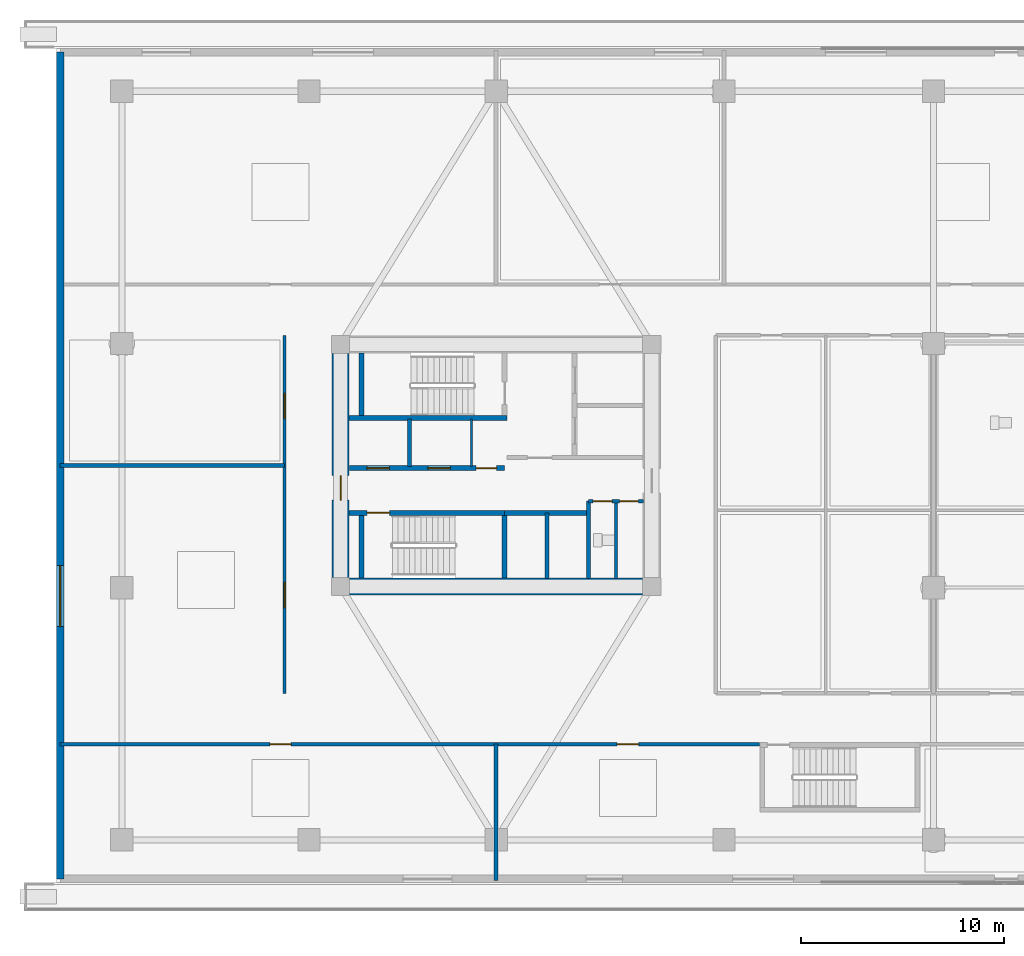
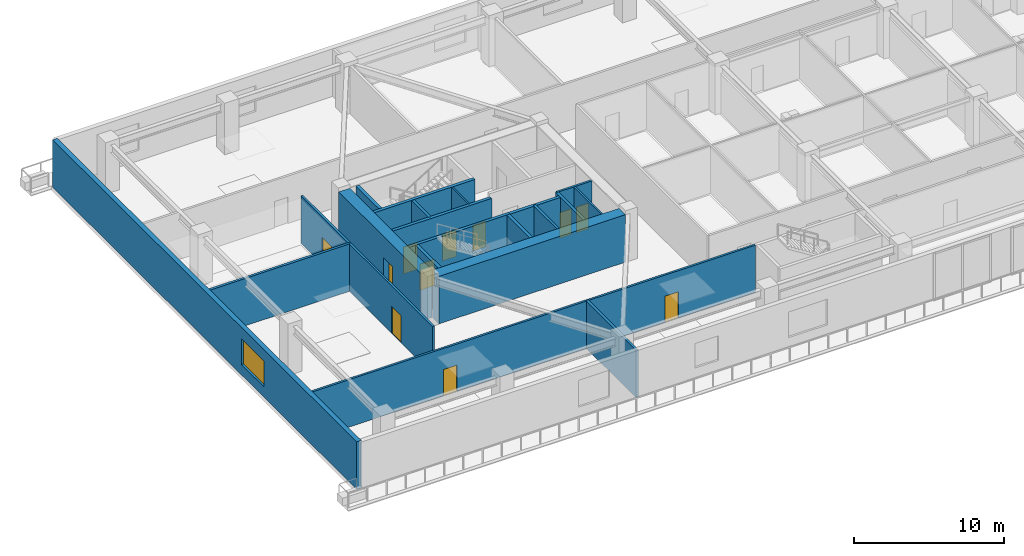
# One storey, part 4 of 22: 20 walls, 11 doors, 1 window, 12 openings.
"""IFC4 building model written with IfcOpenShell, lengths in metres."""

from ifc_helpers import new_model, si_unit, direction, frame, frame_2d, origin, place, context, subcontext, project, spatial, rectangle, extrude, source, transform, mapped, material, layer, layer_set, type_object, type_shapes, element, fill, save


model = new_model("IFC4")

# Units and contexts
model_context = context("Model", 3, precision=1e-05, world=origin(), true_north=direction((0.0, 1.0)))
body_context = subcontext(model_context, "Body", "Model", "MODEL_VIEW")
ifc_project = project(units=[si_unit("LENGTHUNIT", "METRE"), si_unit("AREAUNIT", "SQUARE_METRE"), si_unit("VOLUMEUNIT", "CUBIC_METRE"), si_unit("PLANEANGLEUNIT", "RADIAN"), si_unit("MASSUNIT", "GRAM", prefix="KILO")], contexts=[model_context])

# Site, building, storey
site_placement = place(None, origin())
site = spatial("IfcSite", under=ifc_project, at=site_placement, CompositionType="ELEMENT")
building_placement = place(site_placement, origin())
building = spatial("IfcBuilding", under=site, at=building_placement, Name="Norrkilde Senior Care Towers", CompositionType="ELEMENT")
storey_placement = place(building_placement, frame((0.0, 0.0, 12.60009765625)))
storey = spatial("IfcBuildingStorey", under=building, at=storey_placement, Name="L03", CompositionType="ELEMENT", Elevation=12.60009765625)

# Wall
ifc_material_1 = material(Name="Concrete C60/75", Category="concrete")
ifc_layer_1 = layer(ifc_material_1, 0.85009765625)
ifc_layer_set_1 = layer_set([ifc_layer_1], Name="Concrete C60/75")
wall_type_1 = type_object("IfcWallType", Name="Core Shear Wall Z1 850", PredefinedType="SHEAR", material=ifc_layer_set_1)
shared_shape_1 = source(origin(), body_context, "Body", "SweptSolid", [
    extrude(rectangle(XDim=14.39990234375, YDim=0.85009765625, at=frame_2d((7.199951171875, 0.0))), origin(), (0.0, 0.0, 1.0), 3.8798828125),
])
wall_1_placement = place(storey_placement, frame((-20.800048828125, -5.949951171875, 0.0), z_axis=(0.0, 0.0, 1.0), x_axis=(-1.0, 0.0, 0.0)))
element("IfcWall", 1, at=wall_1_placement, inside=storey, type_object=wall_type_1, Name="L03 Core W South Shear Wall", PredefinedType="SHEAR", context=body_context, shape_type="MappedRepresentation", body=[
    mapped(shared_shape_1, transform((0.0, 0.0, 0.0), x_axis=(1.0, 0.0, 0.0), y_axis=(0.0, 1.0, 0.0), z_axis=(0.0, 0.0, 1.0), scale=1.0)),
])

# Wall, opening, door
shared_shape_2 = source(origin(), body_context, "Body", "SweptSolid", [
    extrude(rectangle(XDim=11.0, YDim=0.85009765625, at=frame_2d((5.5, 0.0))), origin(), (0.0, 0.0, 1.0), 3.8798828125),
])
type_shapes(wall_type_1, [shared_shape_1, shared_shape_2])
wall_2_placement = place(storey_placement, frame((-35.64990234375, -5.5, 0.0), z_axis=(0.0, 0.0, 1.0), x_axis=(0.0, 1.0, 0.0)))
wall_2 = element("IfcWall", 2, at=wall_2_placement, inside=storey, type_object=wall_type_1, Name="L03 Core W West Shear Wall", PredefinedType="SHEAR", context=body_context, shape_type="MappedRepresentation", body=[
    mapped(shared_shape_2, transform((0.0, 0.0, 0.0), x_axis=(1.0, 0.0, 0.0), y_axis=(0.0, 1.0, 0.0), z_axis=(0.0, 0.0, 1.0), scale=1.0)),
])
opening_1_placement = place(wall_2_placement, frame((3.800048828125, 0.0, 0.0)))
opening_1 = element("IfcOpeningElement", 3, at=opening_1_placement, cuts=wall_2, Name="Opening D-04", PredefinedType="OPENING", context=body_context, shape_type="SweptSolid", body=[
    extrude(rectangle(XDim=1.199951171875, YDim=2.14990234375, at=frame_2d((0.60009765625, 1.074951171875))), frame((0.0, 0.43505859375, 0.0), z_axis=(0.0, -1.0, 0.0), x_axis=(1.0, 0.0, 0.0)), (0.0, 0.0, 1.0), 0.8701171875),
])
ifc_material_2 = material(Name="Galvanised Painted Steel", Category="steel")
door_type_1 = type_object("IfcDoorType", Name="Firefighting Lobby Fire Door 1200x2150", OperationType="NOTDEFINED", PredefinedType="DOOR", material=ifc_material_2)
shared_shape_3 = source(origin(), body_context, "Body", "SweptSolid", [
    extrude(rectangle(XDim=1.199951171875, YDim=2.14990234375, at=frame_2d((0.60009765625, 1.074951171875))), frame((0.0, 0.02490234375, 0.0), z_axis=(0.0, -1.0, 0.0), x_axis=(1.0, 0.0, 0.0)), (0.0, 0.0, 1.0), 0.050048828125),
])
type_shapes(door_type_1, [shared_shape_3])
door_1_placement = place(opening_1_placement, frame((1.199951171875, 0.0, 0.0), z_axis=(0.0, 0.0, 1.0), x_axis=(-1.0, 0.0, 0.0)))
door_1 = element("IfcDoor", 4, at=door_1_placement, inside=storey, type_object=door_type_1, Name="L03 Core W West Portal Door", OperationType="SINGLE_SWING_LEFT", OverallHeight=2.14990234375, OverallWidth=1.199951171875, PredefinedType="DOOR", context=body_context, shape_type="MappedRepresentation", body=[
    mapped(shared_shape_3, transform((0.0, 0.0, 0.0), x_axis=(1.0, 0.0, 0.0), y_axis=(0.0, 1.0, 0.0), z_axis=(0.0, 0.0, 1.0), scale=1.0)),
])
fill(opening_1, door_1)

# Wall, opening, window
ifc_material_3 = material(Name="Precast concrete C45/55", Category="concrete")
ifc_layer_2 = layer(ifc_material_3, 0.360107421875)
ifc_layer_set_2 = layer_set([ifc_layer_2], Name="Precast concrete C45/55")
wall_type_2 = type_object("IfcWallType", Name="Podium Facade Wall 360", PredefinedType="SOLIDWALL", material=ifc_layer_set_2)
shared_shape_4 = source(origin(), body_context, "Body", "SweptSolid", [
    extrude(rectangle(XDim=40.64013671875, YDim=0.360107421875, at=frame_2d((20.320068359375, 0.0))), origin(), (0.0, 0.0, 1.0), 3.8798828125),
])
type_shapes(wall_type_2, [shared_shape_4])
wall_3_placement = place(storey_placement, frame((-49.419921875, -20.320068359375, 0.0), z_axis=(0.0, 0.0, 1.0), x_axis=(0.0, 1.0, 0.0)))
wall_3 = element("IfcWall", 5, at=wall_3_placement, inside=storey, type_object=wall_type_2, Name="L03 Podium W Facade Wall", PredefinedType="SOLIDWALL", context=body_context, shape_type="MappedRepresentation", body=[
    mapped(shared_shape_4, transform((0.0, 0.0, 0.0), x_axis=(1.0, 0.0, 0.0), y_axis=(0.0, 1.0, 0.0), z_axis=(0.0, 0.0, 1.0), scale=1.0)),
])
opening_2_placement = place(wall_3_placement, frame((12.39990234375, 0.0, 0.85009765625)))
opening_2 = element("IfcOpeningElement", 6, at=opening_2_placement, cuts=wall_3, Name="Opening WN-02", PredefinedType="OPENING", context=body_context, shape_type="SweptSolid", body=[
    extrude(rectangle(XDim=3.0, YDim=2.10009765625, at=frame_2d((1.5, 1.050048828125))), frame((0.0, 0.18994140625, 0.0), z_axis=(0.0, -1.0, 0.0), x_axis=(1.0, 0.0, 0.0)), (0.0, 0.0, 1.0), 0.380126953125),
])
ifc_material_4 = material(Name="Triple Low-E Insulated Glazing", Category="glass")
window_type = type_object("IfcWindowType", Name="Podium Rehab Ribbon Window 3000x2100", PartitioningType="SINGLE_PANEL", PredefinedType="WINDOW", material=ifc_material_4)
shared_shape_5 = source(origin(), body_context, "Body", "SweptSolid", [
    extrude(rectangle(XDim=3.0, YDim=2.10009765625, at=frame_2d((1.5, 1.050048828125))), frame((0.0, 0.030029296875, 0.0), z_axis=(0.0, -1.0, 0.0), x_axis=(1.0, 0.0, 0.0)), (0.0, 0.0, 1.0), 0.06005859375),
])
type_shapes(window_type, [shared_shape_5])
window_placement = place(opening_2_placement, origin())
window = element("IfcWindow", 7, at=window_placement, inside=storey, type_object=window_type, Name="L03 W Window 02", OverallHeight=2.10009765625, OverallWidth=3.0, PartitioningType="SINGLE_PANEL", PredefinedType="WINDOW", context=body_context, shape_type="MappedRepresentation", body=[
    mapped(shared_shape_5, transform((0.0, 0.0, 0.0), x_axis=(1.0, 0.0, 0.0), y_axis=(0.0, 1.0, 0.0), z_axis=(0.0, 0.0, 1.0), scale=1.0)),
])
fill(opening_2, window)

# Wall
ifc_material_5 = material(Name="Concrete C45/55", Category="concrete")
ifc_layer_3 = layer(ifc_material_5, 0.239990234375)
ifc_layer_set_3 = layer_set([ifc_layer_3], Name="Concrete C45/55")
wall_type_3 = type_object("IfcWallType", Name="Shaft and Stair Enclosure Wall 240", PredefinedType="PARTITIONING", material=ifc_layer_set_3)
shared_shape_6 = source(origin(), body_context, "Body", "SweptSolid", [
    extrude(rectangle(XDim=7.76513671875, YDim=0.239990234375, at=frame_2d((3.882568359375, 0.0))), origin(), (0.0, 0.0, 1.0), 3.8798828125),
])
wall_4_placement = place(storey_placement, frame((-35.22509765625, 2.330078125, 0.0), z_axis=(0.0, 0.0, 1.0), x_axis=(1.0, 0.0, 0.0)))
element("IfcWall", 8, at=wall_4_placement, inside=storey, type_object=wall_type_3, Name="WL-INT-L03-W-ST1S", PredefinedType="PARTITIONING", context=body_context, shape_type="MappedRepresentation", body=[
    mapped(shared_shape_6, transform((0.0, 0.0, 0.0), x_axis=(1.0, 0.0, 0.0), y_axis=(0.0, 1.0, 0.0), z_axis=(0.0, 0.0, 1.0), scale=1.0)),
])

# Wall, opening, door
wall_5_placement = place(storey_placement, frame((-35.22509765625, -2.330078125, 0.0), z_axis=(0.0, 0.0, 1.0), x_axis=(1.0, 0.0, 0.0)))
wall_5 = element("IfcWall", 9, at=wall_5_placement, inside=storey, type_object=wall_type_3, Name="WL-INT-L03-W-ST2N", PredefinedType="PARTITIONING", context=body_context, shape_type="MappedRepresentation", body=[
    mapped(shared_shape_6, transform((0.0, 0.0, 0.0), x_axis=(1.0, 0.0, 0.0), y_axis=(0.0, 1.0, 0.0), z_axis=(0.0, 0.0, 1.0), scale=1.0)),
])
opening_3_placement = place(wall_5_placement, frame((0.885009765625, 0.0, 0.0)))
opening_3 = element("IfcOpeningElement", 10, at=opening_3_placement, cuts=wall_5, Name="Opening D-03", PredefinedType="OPENING", context=body_context, shape_type="SweptSolid", body=[
    extrude(rectangle(XDim=1.10009765625, YDim=2.14990234375, at=frame_2d((0.550048828125, 1.074951171875))), frame((0.0, 0.1298828125, 0.0), z_axis=(0.0, -1.0, 0.0), x_axis=(1.0, 0.0, 0.0)), (0.0, 0.0, 1.0), 0.260009765625),
])
door_type_2 = type_object("IfcDoorType", Name="Stairwell Protected Fire Door 1100x2150", OperationType="NOTDEFINED", PredefinedType="DOOR", material=ifc_material_2)
shared_shape_7 = source(origin(), body_context, "Body", "SweptSolid", [
    extrude(rectangle(XDim=1.10009765625, YDim=2.14990234375, at=frame_2d((0.550048828125, 1.074951171875))), frame((0.0, 0.02490234375, 0.0), z_axis=(0.0, -1.0, 0.0), x_axis=(1.0, 0.0, 0.0)), (0.0, 0.0, 1.0), 0.050048828125),
])
type_shapes(door_type_2, [shared_shape_7])
door_2_placement = place(opening_3_placement, frame((1.10009765625, 0.0, 0.0), z_axis=(0.0, 0.0, 1.0), x_axis=(-1.0, 0.0, 0.0)))
door_2 = element("IfcDoor", 11, at=door_2_placement, inside=storey, type_object=door_type_2, Name="L03 Stair W2 Fire Door", OperationType="SINGLE_SWING_RIGHT", OverallHeight=2.14990234375, OverallWidth=1.10009765625, PredefinedType="DOOR", context=body_context, shape_type="MappedRepresentation", body=[
    mapped(shared_shape_7, transform((0.0, 0.0, 0.0), x_axis=(1.0, 0.0, 0.0), y_axis=(0.0, 1.0, 0.0), z_axis=(0.0, 0.0, 1.0), scale=1.0)),
])
fill(opening_3, door_2)

# Walls
shared_shape_8 = source(origin(), body_context, "Body", "SweptSolid", [
    extrude(rectangle(XDim=3.074951171875, YDim=0.239990234375, at=frame_2d((1.53759765625, 0.0))), origin(), (0.0, 0.0, 1.0), 3.8798828125),
])
type_shapes(wall_type_3, [shared_shape_6, shared_shape_8])
for number, where, z_axis, x_axis, name in (
    (12, (-34.6201171875, 2.449951171875, 0.0), (0.0, 0.0, 1.0), (0.0, 1.0, 0.0), "WL-INT-L03-W-ST1W"),
    (13, (-34.6201171875, -5.52490234375, 0.0), (0.0, 0.0, 1.0), (0.0, 1.0, 0.0), "WL-INT-L03-W-ST2W"),
    (14, (-27.580078125, -5.52490234375, 0.0), (0.0, 0.0, 1.0), (0.0, 1.0, 0.0), "WL-INT-L03-W-ST2E"),
):
    element("IfcWall", number, at=place(storey_placement, frame(where, z_axis=z_axis, x_axis=x_axis)), inside=storey, type_object=wall_type_3, Name=name, PredefinedType="PARTITIONING", context=body_context, shape_type="MappedRepresentation", body=[
        mapped(shared_shape_8, transform((0.0, 0.0, 0.0), x_axis=(1.0, 0.0, 0.0), y_axis=(0.0, 1.0, 0.0), z_axis=(0.0, 0.0, 1.0), scale=1.0)),
    ])

# Wall, openings, doors
ifc_layer_4 = layer(ifc_material_5, 0.239990234375)
ifc_layer_set_4 = layer_set([ifc_layer_4], Name="Concrete C45/55")
wall_type_4 = type_object("IfcWallType", Name="Lift and Plant Rated Enclosure Partition 240", PredefinedType="PARTITIONING", material=ifc_layer_set_4)
shared_shape_9 = source(origin(), body_context, "Body", "SweptSolid", [
    extrude(rectangle(XDim=7.619873046875, YDim=0.239990234375, at=frame_2d((3.81005859375, 0.0))), origin(), (0.0, 0.0, 1.0), 3.864990234375),
])
wall_6_placement = place(storey_placement, frame((-35.199951171875, -0.1298828125, 0.0), z_axis=(0.0, 0.0, 1.0), x_axis=(1.0, 0.0, 0.0)))
wall_6 = element("IfcWall", 15, at=wall_6_placement, inside=storey, type_object=wall_type_4, Name="WL-INT-L03-W-PKAS", PredefinedType="PARTITIONING", context=body_context, shape_type="MappedRepresentation", body=[
    mapped(shared_shape_9, transform((0.0, 0.0, 0.0), x_axis=(1.0, 0.0, 0.0), y_axis=(0.0, 1.0, 0.0), z_axis=(0.0, 0.0, 1.0), scale=1.0)),
])
opening_4_placement = place(wall_6_placement, frame((6.219970703125, 0.0, 0.0)))
opening_4 = element("IfcOpeningElement", 16, at=opening_4_placement, cuts=wall_6, Name="Opening D-10", PredefinedType="OPENING", context=body_context, shape_type="SweptSolid", body=[
    extrude(rectangle(XDim=1.0, YDim=2.10009765625, at=frame_2d((0.5, 1.050048828125))), frame((0.0, 0.1298828125, 0.0), z_axis=(0.0, -1.0, 0.0), x_axis=(1.0, 0.0, 0.0)), (0.0, 0.0, 1.0), 0.260009765625),
])
opening_5_placement = place(wall_6_placement, frame((0.85009765625, 0.0, 0.0)))
opening_5 = element("IfcOpeningElement", 17, at=opening_5_placement, cuts=wall_6, Name="Opening LD-01", PredefinedType="OPENING", context=body_context, shape_type="SweptSolid", body=[
    extrude(rectangle(XDim=1.10009765625, YDim=2.199951171875, at=frame_2d((0.550048828125, 1.10009765625))), frame((0.0, 0.1298828125, 0.0), z_axis=(0.0, -1.0, 0.0), x_axis=(1.0, 0.0, 0.0)), (0.0, 0.0, 1.0), 0.260009765625),
])
opening_6_placement = place(wall_6_placement, frame((3.85009765625, 0.0, 0.0)))
opening_6 = element("IfcOpeningElement", 18, at=opening_6_placement, cuts=wall_6, Name="Opening LD-01", PredefinedType="OPENING", context=body_context, shape_type="SweptSolid", body=[
    extrude(rectangle(XDim=1.10009765625, YDim=2.199951171875, at=frame_2d((0.550048828125, 1.10009765625))), frame((0.0, 0.1298828125, 0.0), z_axis=(0.0, -1.0, 0.0), x_axis=(1.0, 0.0, 0.0)), (0.0, 0.0, 1.0), 0.260009765625),
])
door_type_3 = type_object("IfcDoorType", Name="Plant and Riser Rated Door 1000x2100", OperationType="NOTDEFINED", PredefinedType="DOOR", material=ifc_material_2)
shared_shape_10 = source(origin(), body_context, "Body", "SweptSolid", [
    extrude(rectangle(XDim=1.0, YDim=2.10009765625, at=frame_2d((0.5, 1.050048828125))), frame((0.0, 0.02490234375, 0.0), z_axis=(0.0, -1.0, 0.0), x_axis=(1.0, 0.0, 0.0)), (0.0, 0.0, 1.0), 0.050048828125),
])
type_shapes(door_type_3, [shared_shape_10])
door_3_placement = place(opening_4_placement, frame((1.0, 0.0, 0.0), z_axis=(0.0, 0.0, 1.0), x_axis=(-1.0, 0.0, 0.0)))
door_3 = element("IfcDoor", 19, at=door_3_placement, inside=storey, type_object=door_type_3, Name="L03 Electrical Riser W Door", OperationType="SINGLE_SWING_LEFT", OverallHeight=2.10009765625, OverallWidth=1.0, PredefinedType="DOOR", context=body_context, shape_type="MappedRepresentation", body=[
    mapped(shared_shape_10, transform((0.0, 0.0, 0.0), x_axis=(1.0, 0.0, 0.0), y_axis=(0.0, 1.0, 0.0), z_axis=(0.0, 0.0, 1.0), scale=1.0)),
])
fill(opening_4, door_3)
ifc_material_6 = material(Name="Stainless Steel", Category="steel")
door_type_4 = type_object("IfcDoorType", Name="Lift Landing Sliding Door 1100x2200", OperationType="NOTDEFINED", PredefinedType="DOOR", material=ifc_material_6)
shared_shape_11 = source(origin(), body_context, "Body", "SweptSolid", [
    extrude(rectangle(XDim=1.10009765625, YDim=2.199951171875, at=frame_2d((0.550048828125, 1.10009765625))), frame((0.0, 0.02490234375, 0.0), z_axis=(0.0, -1.0, 0.0), x_axis=(1.0, 0.0, 0.0)), (0.0, 0.0, 1.0), 0.050048828125),
])
type_shapes(door_type_4, [shared_shape_11])
door_4_placement = place(opening_5_placement, origin())
door_4 = element("IfcDoor", 20, at=door_4_placement, inside=storey, type_object=door_type_4, Name="L03 Passenger Lift W1 Landing Door", OperationType="SLIDING_TO_LEFT", OverallHeight=2.199951171875, OverallWidth=1.10009765625, PredefinedType="DOOR", context=body_context, shape_type="MappedRepresentation", body=[
    mapped(shared_shape_11, transform((0.0, 0.0, 0.0), x_axis=(1.0, 0.0, 0.0), y_axis=(0.0, 1.0, 0.0), z_axis=(0.0, 0.0, 1.0), scale=1.0)),
])
fill(opening_5, door_4)
door_5_placement = place(opening_6_placement, origin())
door_5 = element("IfcDoor", 21, at=door_5_placement, inside=storey, type_object=door_type_4, Name="L03 Passenger Lift W2 Landing Door", OperationType="SLIDING_TO_RIGHT", OverallHeight=2.199951171875, OverallWidth=1.10009765625, PredefinedType="DOOR", context=body_context, shape_type="MappedRepresentation", body=[
    mapped(shared_shape_11, transform((0.0, 0.0, 0.0), x_axis=(1.0, 0.0, 0.0), y_axis=(0.0, 1.0, 0.0), z_axis=(0.0, 0.0, 1.0), scale=1.0)),
])
fill(opening_6, door_5)

# Walls
ifc_material_7 = material(Name="Gypsum Acoustic Board")
ifc_layer_5 = layer(ifc_material_7, 0.114990234375)
ifc_layer_set_5 = layer_set([ifc_layer_5], Name="Gypsum Acoustic Board")
wall_type_5 = type_object("IfcWallType", Name="Internal Room Partition 115", PredefinedType="PARTITIONING", material=ifc_layer_set_5)
shared_shape_12 = source(origin(), body_context, "Body", "SweptSolid", [
    extrude(rectangle(XDim=2.330078125, YDim=0.114990234375, at=frame_2d((1.1650390625, 0.0))), origin(), (0.0, 0.0, 1.0), 3.864990234375),
])
type_shapes(wall_type_5, [shared_shape_12])
wall_7_placement = place(storey_placement, frame((-29.2099609375, -0.050048828125, 0.0), z_axis=(0.0, 0.0, 1.0), x_axis=(0.0, 1.0, 0.0)))
element("IfcWall", 22, at=wall_7_placement, inside=storey, type_object=wall_type_5, Name="WL-INT-L03-W-RISW", PredefinedType="PARTITIONING", context=body_context, shape_type="MappedRepresentation", body=[
    mapped(shared_shape_12, transform((0.0, 0.0, 0.0), x_axis=(1.0, 0.0, 0.0), y_axis=(0.0, 1.0, 0.0), z_axis=(0.0, 0.0, 1.0), scale=1.0)),
])
ifc_layer_6 = layer(ifc_material_5, 0.199951171875)
ifc_layer_set_6 = layer_set([ifc_layer_6], Name="Concrete C45/55")
wall_type_6 = type_object("IfcWallType", Name="Shaft Division and Plant Partition 200", PredefinedType="PARTITIONING", material=ifc_layer_set_6)
shared_shape_13 = source(origin(), body_context, "Body", "SweptSolid", [
    extrude(rectangle(XDim=2.330078125, YDim=0.199951171875, at=frame_2d((1.1650390625, 0.0))), origin(), (0.0, 0.0, 1.0), 3.864990234375),
])
wall_8_placement = place(storey_placement, frame((-32.25, -0.050048828125, 0.0), z_axis=(0.0, 0.0, 1.0), x_axis=(0.0, 1.0, 0.0)))
element("IfcWall", 23, at=wall_8_placement, inside=storey, type_object=wall_type_6, Name="WL-INT-L03-W-PL12", PredefinedType="PARTITIONING", context=body_context, shape_type="MappedRepresentation", body=[
    mapped(shared_shape_13, transform((0.0, 0.0, 0.0), x_axis=(1.0, 0.0, 0.0), y_axis=(0.0, 1.0, 0.0), z_axis=(0.0, 0.0, 1.0), scale=1.0)),
])
shared_shape_14 = source(origin(), body_context, "Body", "SweptSolid", [
    extrude(rectangle(XDim=3.800048828125, YDim=0.199951171875, at=frame_2d((1.89990234375, 0.0))), origin(), (0.0, 0.0, 1.0), 3.864990234375),
])
type_shapes(wall_type_6, [shared_shape_13, shared_shape_14])
wall_9_placement = place(storey_placement, frame((-23.449951171875, -5.550048828125, 0.0), z_axis=(0.0, 0.0, 1.0), x_axis=(0.0, 1.0, 0.0)))
element("IfcWall", 24, at=wall_9_placement, inside=storey, type_object=wall_type_6, Name="WL-INT-L03-W-PKBE", PredefinedType="PARTITIONING", context=body_context, shape_type="MappedRepresentation", body=[
    mapped(shared_shape_14, transform((0.0, 0.0, 0.0), x_axis=(1.0, 0.0, 0.0), y_axis=(0.0, 1.0, 0.0), z_axis=(0.0, 0.0, 1.0), scale=1.0)),
])
shared_shape_15 = source(origin(), body_context, "Body", "SweptSolid", [
    extrude(rectangle(XDim=4.130126953125, YDim=0.239990234375, at=frame_2d((2.06494140625, 0.0))), origin(), (0.0, 0.0, 1.0), 3.864990234375),
])
type_shapes(wall_type_4, [shared_shape_9, shared_shape_15])
wall_10_placement = place(storey_placement, frame((-27.580078125, -2.330078125, 0.0), z_axis=(0.0, 0.0, 1.0), x_axis=(1.0, 0.0, 0.0)))
element("IfcWall", 25, at=wall_10_placement, inside=storey, type_object=wall_type_4, Name="WL-INT-L03-W-PKBN", PredefinedType="PARTITIONING", context=body_context, shape_type="MappedRepresentation", body=[
    mapped(shared_shape_15, transform((0.0, 0.0, 0.0), x_axis=(1.0, 0.0, 0.0), y_axis=(0.0, 1.0, 0.0), z_axis=(0.0, 0.0, 1.0), scale=1.0)),
])
ifc_layer_7 = layer(ifc_material_5, 0.179931640625)
ifc_layer_set_7 = layer_set([ifc_layer_7], Name="Concrete C45/55")
wall_type_7 = type_object("IfcWallType", Name="Hoistway Division Rated Partition 180", PredefinedType="PARTITIONING", material=ifc_layer_set_7)
shared_shape_16 = source(origin(), body_context, "Body", "SweptSolid", [
    extrude(rectangle(XDim=3.219970703125, YDim=0.179931640625, at=frame_2d((1.60986328125, 0.0))), origin(), (0.0, 0.0, 1.0), 3.864990234375),
])
type_shapes(wall_type_7, [shared_shape_16])
wall_11_placement = place(storey_placement, frame((-25.5, -5.550048828125, 0.0), z_axis=(0.0, 0.0, 1.0), x_axis=(0.0, 1.0, 0.0)))
element("IfcWall", 26, at=wall_11_placement, inside=storey, type_object=wall_type_7, Name="WL-INT-L03-W-PL34", PredefinedType="PARTITIONING", context=body_context, shape_type="MappedRepresentation", body=[
    mapped(shared_shape_16, transform((0.0, 0.0, 0.0), x_axis=(1.0, 0.0, 0.0), y_axis=(0.0, 1.0, 0.0), z_axis=(0.0, 0.0, 1.0), scale=1.0)),
])

# Wall, openings, doors
ifc_layer_8 = layer(ifc_material_7, 0.1650390625)
ifc_layer_set_8 = layer_set([ifc_layer_8], Name="Gypsum Acoustic Board")
wall_type_8 = type_object("IfcWallType", Name="Corridor Rated Partition 165", PredefinedType="PARTITIONING", material=ifc_layer_set_8)
shared_shape_17 = source(origin(), body_context, "Body", "SweptSolid", [
    extrude(rectangle(XDim=2.699951171875, YDim=0.1650390625, at=frame_2d((1.35009765625, 0.0))), origin(), (0.0, 0.0, 1.0), 3.864990234375),
])
wall_12_placement = place(storey_placement, frame((-23.449951171875, -1.75, 0.0), z_axis=(0.0, 0.0, 1.0), x_axis=(1.0, 0.0, 0.0)))
wall_12 = element("IfcWall", 27, at=wall_12_placement, inside=storey, type_object=wall_type_8, Name="WL-INT-L03-W-CSN", PredefinedType="PARTITIONING", context=body_context, shape_type="MappedRepresentation", body=[
    mapped(shared_shape_17, transform((0.0, 0.0, 0.0), x_axis=(1.0, 0.0, 0.0), y_axis=(0.0, 1.0, 0.0), z_axis=(0.0, 0.0, 1.0), scale=1.0)),
])
opening_7_placement = place(wall_12_placement, frame((0.222412109375, 0.0, 0.0)))
opening_7 = element("IfcOpeningElement", 28, at=opening_7_placement, cuts=wall_12, Name="Opening D-12", PredefinedType="OPENING", context=body_context, shape_type="SweptSolid", body=[
    extrude(rectangle(XDim=0.925048828125, YDim=2.10009765625, at=frame_2d((0.46240234375, 1.050048828125))), frame((0.0, 0.092529296875, 0.0), z_axis=(0.0, -1.0, 0.0), x_axis=(1.0, 0.0, 0.0)), (0.0, 0.0, 1.0), 0.18505859375),
])
opening_8_placement = place(wall_12_placement, frame((1.5224609375, 0.0, 0.0)))
opening_8 = element("IfcOpeningElement", 29, at=opening_8_placement, cuts=wall_12, Name="Opening D-12", PredefinedType="OPENING", context=body_context, shape_type="SweptSolid", body=[
    extrude(rectangle(XDim=0.925048828125, YDim=2.10009765625, at=frame_2d((0.46240234375, 1.050048828125))), frame((0.0, 0.092529296875, 0.0), z_axis=(0.0, -1.0, 0.0), x_axis=(1.0, 0.0, 0.0)), (0.0, 0.0, 1.0), 0.18505859375),
])
door_type_5 = type_object("IfcDoorType", Name="Core Wet Room Rated Door 925x2100", OperationType="NOTDEFINED", PredefinedType="DOOR", material=ifc_material_2)
shared_shape_18 = source(origin(), body_context, "Body", "SweptSolid", [
    extrude(rectangle(XDim=0.925048828125, YDim=2.10009765625, at=frame_2d((0.46240234375, 1.050048828125))), frame((0.0, 0.02490234375, 0.0), z_axis=(0.0, -1.0, 0.0), x_axis=(1.0, 0.0, 0.0)), (0.0, 0.0, 1.0), 0.050048828125),
])
type_shapes(door_type_5, [shared_shape_18])
door_6_placement = place(opening_7_placement, origin())
door_6 = element("IfcDoor", 30, at=door_6_placement, inside=storey, type_object=door_type_5, Name="L03 Staff Accessible WC W Door", OperationType="SINGLE_SWING_LEFT", OverallHeight=2.10009765625, OverallWidth=0.925048828125, PredefinedType="DOOR", context=body_context, shape_type="MappedRepresentation", body=[
    mapped(shared_shape_18, transform((0.0, 0.0, 0.0), x_axis=(1.0, 0.0, 0.0), y_axis=(0.0, 1.0, 0.0), z_axis=(0.0, 0.0, 1.0), scale=1.0)),
])
fill(opening_7, door_6)
door_7_placement = place(opening_8_placement, origin())
door_7 = element("IfcDoor", 31, at=door_7_placement, inside=storey, type_object=door_type_5, Name="L03 Housekeeping Store W Door", OperationType="SINGLE_SWING_RIGHT", OverallHeight=2.10009765625, OverallWidth=0.925048828125, PredefinedType="DOOR", context=body_context, shape_type="MappedRepresentation", body=[
    mapped(shared_shape_18, transform((0.0, 0.0, 0.0), x_axis=(1.0, 0.0, 0.0), y_axis=(0.0, 1.0, 0.0), z_axis=(0.0, 0.0, 1.0), scale=1.0)),
])
fill(opening_8, door_7)

shared_shape_19 = source(origin(), body_context, "Body", "SweptSolid", [
    extrude(rectangle(XDim=17.599853515625, YDim=0.1650390625, at=frame_2d((8.7998046875, 0.0))), origin(), (0.0, 0.0, 1.0), 3.864990234375),
])
wall_13_placement = place(storey_placement, frame((-38.39990234375, -11.199951171875, 0.0), z_axis=(0.0, 0.0, 1.0), x_axis=(0.0, 1.0, 0.0)))
wall_13 = element("IfcWall", 32, at=wall_13_placement, inside=storey, type_object=wall_type_8, Name="WL-INT-L03-POD-OW", PredefinedType="PARTITIONING", context=body_context, shape_type="MappedRepresentation", body=[
    mapped(shared_shape_19, transform((0.0, 0.0, 0.0), x_axis=(1.0, 0.0, 0.0), y_axis=(0.0, 1.0, 0.0), z_axis=(0.0, 0.0, 1.0), scale=1.0)),
])
opening_9_placement = place(wall_13_placement, frame((4.199951171875, 0.0, 0.0)))
opening_9 = element("IfcOpeningElement", 33, at=opening_9_placement, cuts=wall_13, Name="Opening D-05", PredefinedType="OPENING", context=body_context, shape_type="SweptSolid", body=[
    extrude(rectangle(XDim=1.25, YDim=2.199951171875, at=frame_2d((0.625, 1.10009765625))), frame((0.0, 0.092529296875, 0.0), z_axis=(0.0, -1.0, 0.0), x_axis=(1.0, 0.0, 0.0)), (0.0, 0.0, 1.0), 0.18505859375),
])
opening_10_placement = place(wall_13_placement, frame((13.5, 0.0, 0.0)))
opening_10 = element("IfcOpeningElement", 34, at=opening_10_placement, cuts=wall_13, Name="Opening D-05", PredefinedType="OPENING", context=body_context, shape_type="SweptSolid", body=[
    extrude(rectangle(XDim=1.25, YDim=2.199951171875, at=frame_2d((0.625, 1.10009765625))), frame((0.0, 0.092529296875, 0.0), z_axis=(0.0, -1.0, 0.0), x_axis=(1.0, 0.0, 0.0)), (0.0, 0.0, 1.0), 0.18505859375),
])
ifc_material_8 = material(Name="Nordic Ash Timber", Category="wood")
door_type_6 = type_object("IfcDoorType", Name="Care Bedroom Bariatric Door 1250x2200", OperationType="NOTDEFINED", PredefinedType="DOOR", material=ifc_material_8)
shared_shape_20 = source(origin(), body_context, "Body", "SweptSolid", [
    extrude(rectangle(XDim=1.25, YDim=2.199951171875, at=frame_2d((0.625, 1.10009765625))), frame((0.0, 0.02490234375, 0.0), z_axis=(0.0, -1.0, 0.0), x_axis=(1.0, 0.0, 0.0)), (0.0, 0.0, 1.0), 0.050048828125),
])
type_shapes(door_type_6, [shared_shape_20])
door_8_placement = place(opening_9_placement, frame((1.25, 0.0, 0.0), z_axis=(0.0, 0.0, 1.0), x_axis=(-1.0, 0.0, 0.0)))
door_8 = element("IfcDoor", 35, at=door_8_placement, inside=storey, type_object=door_type_6, Name="L03 Rehab Ward OW1 Door", OperationType="SINGLE_SWING_LEFT", OverallHeight=2.199951171875, OverallWidth=1.25, PredefinedType="DOOR", context=body_context, shape_type="MappedRepresentation", body=[
    mapped(shared_shape_20, transform((0.0, 0.0, 0.0), x_axis=(1.0, 0.0, 0.0), y_axis=(0.0, 1.0, 0.0), z_axis=(0.0, 0.0, 1.0), scale=1.0)),
])
fill(opening_9, door_8)
door_9_placement = place(opening_10_placement, frame((1.25, 0.0, 0.0), z_axis=(0.0, 0.0, 1.0), x_axis=(-1.0, 0.0, 0.0)))
door_9 = element("IfcDoor", 36, at=door_9_placement, inside=storey, type_object=door_type_6, Name="L03 Wellness Hall OW2 Door", OperationType="SINGLE_SWING_RIGHT", OverallHeight=2.199951171875, OverallWidth=1.25, PredefinedType="DOOR", context=body_context, shape_type="MappedRepresentation", body=[
    mapped(shared_shape_20, transform((0.0, 0.0, 0.0), x_axis=(1.0, 0.0, 0.0), y_axis=(0.0, 1.0, 0.0), z_axis=(0.0, 0.0, 1.0), scale=1.0)),
])
fill(opening_10, door_9)

shared_shape_21 = source(origin(), body_context, "Body", "SweptSolid", [
    extrude(rectangle(XDim=34.39990234375, YDim=0.1650390625, at=frame_2d((17.199951171875, 0.0))), origin(), (0.0, 0.0, 1.0), 3.864990234375),
])
type_shapes(wall_type_8, [shared_shape_17, shared_shape_19, shared_shape_21])
wall_14_placement = place(storey_placement, frame((-49.449951171875, -13.699951171875, 0.0), z_axis=(0.0, 0.0, 1.0), x_axis=(1.0, 0.0, 0.0)))
wall_14 = element("IfcWall", 37, at=wall_14_placement, inside=storey, type_object=wall_type_8, Name="WL-INT-L03-POD-SPN", PredefinedType="PARTITIONING", context=body_context, shape_type="MappedRepresentation", body=[
    mapped(shared_shape_21, transform((0.0, 0.0, 0.0), x_axis=(1.0, 0.0, 0.0), y_axis=(0.0, 1.0, 0.0), z_axis=(0.0, 0.0, 1.0), scale=1.0)),
])
opening_11_placement = place(wall_14_placement, frame((10.324951171875, 0.0, 0.0)))
opening_11 = element("IfcOpeningElement", 38, at=opening_11_placement, cuts=wall_14, Name="Opening D-06", PredefinedType="OPENING", context=body_context, shape_type="SweptSolid", body=[
    extrude(rectangle(XDim=1.050048828125, YDim=2.14990234375, at=frame_2d((0.52490234375, 1.074951171875))), frame((0.0, 0.092529296875, 0.0), z_axis=(0.0, -1.0, 0.0), x_axis=(1.0, 0.0, 0.0)), (0.0, 0.0, 1.0), 0.18505859375),
])
opening_12_placement = place(wall_14_placement, frame((27.39990234375, 0.0, 0.0)))
opening_12 = element("IfcOpeningElement", 39, at=opening_12_placement, cuts=wall_14, Name="Opening D-06", PredefinedType="OPENING", context=body_context, shape_type="SweptSolid", body=[
    extrude(rectangle(XDim=1.050048828125, YDim=2.14990234375, at=frame_2d((0.52490234375, 1.074951171875))), frame((0.0, 0.092529296875, 0.0), z_axis=(0.0, -1.0, 0.0), x_axis=(1.0, 0.0, 0.0)), (0.0, 0.0, 1.0), 0.18505859375),
])
door_type_7 = type_object("IfcDoorType", Name="Apartment Entrance Fire Door 1050x2150", OperationType="NOTDEFINED", PredefinedType="DOOR", material=ifc_material_8)
shared_shape_22 = source(origin(), body_context, "Body", "SweptSolid", [
    extrude(rectangle(XDim=1.050048828125, YDim=2.14990234375, at=frame_2d((0.52490234375, 1.074951171875))), frame((0.0, 0.02490234375, 0.0), z_axis=(0.0, -1.0, 0.0), x_axis=(1.0, 0.0, 0.0)), (0.0, 0.0, 1.0), 0.050048828125),
])
type_shapes(door_type_7, [shared_shape_22])
door_10_placement = place(opening_11_placement, frame((1.050048828125, 0.0, 0.0), z_axis=(0.0, 0.0, 1.0), x_axis=(-1.0, 0.0, 0.0)))
door_10 = element("IfcDoor", 40, at=door_10_placement, inside=storey, type_object=door_type_7, Name="L03 South Suite SW1 Door", OperationType="SINGLE_SWING_LEFT", OverallHeight=2.14990234375, OverallWidth=1.050048828125, PredefinedType="DOOR", context=body_context, shape_type="MappedRepresentation", body=[
    mapped(shared_shape_22, transform((0.0, 0.0, 0.0), x_axis=(1.0, 0.0, 0.0), y_axis=(0.0, 1.0, 0.0), z_axis=(0.0, 0.0, 1.0), scale=1.0)),
])
fill(opening_11, door_10)
door_11_placement = place(opening_12_placement, frame((1.050048828125, 0.0, 0.0), z_axis=(0.0, 0.0, 1.0), x_axis=(-1.0, 0.0, 0.0)))
door_11 = element("IfcDoor", 41, at=door_11_placement, inside=storey, type_object=door_type_7, Name="L03 South Suite SW2 Door", OperationType="SINGLE_SWING_RIGHT", OverallHeight=2.14990234375, OverallWidth=1.050048828125, PredefinedType="DOOR", context=body_context, shape_type="MappedRepresentation", body=[
    mapped(shared_shape_22, transform((0.0, 0.0, 0.0), x_axis=(1.0, 0.0, 0.0), y_axis=(0.0, 1.0, 0.0), z_axis=(0.0, 0.0, 1.0), scale=1.0)),
])
fill(opening_12, door_11)

# Walls
ifc_layer_9 = layer(ifc_material_7, 0.139892578125)
ifc_layer_set_9 = layer_set([ifc_layer_9], Name="Gypsum Acoustic Board")
wall_type_9 = type_object("IfcWallType", Name="En-suite Wet Room Wall 140", PredefinedType="PARTITIONING", material=ifc_layer_set_9)
shared_shape_23 = source(origin(), body_context, "Body", "SweptSolid", [
    extrude(rectangle(XDim=3.800048828125, YDim=0.139892578125, at=frame_2d((1.89990234375, 0.0))), origin(), (0.0, 0.0, 1.0), 3.864990234375),
])
type_shapes(wall_type_9, [shared_shape_23])
wall_15_placement = place(storey_placement, frame((-22.10009765625, -5.550048828125, 0.0), z_axis=(0.0, 0.0, 1.0), x_axis=(0.0, 1.0, 0.0)))
element("IfcWall", 42, at=wall_15_placement, inside=storey, type_object=wall_type_9, Name="WL-INT-L03-W-CS1V", PredefinedType="PARTITIONING", context=body_context, shape_type="MappedRepresentation", body=[
    mapped(shared_shape_23, transform((0.0, 0.0, 0.0), x_axis=(1.0, 0.0, 0.0), y_axis=(0.0, 1.0, 0.0), z_axis=(0.0, 0.0, 1.0), scale=1.0)),
])
ifc_layer_10 = layer(ifc_material_7, 0.18994140625)
ifc_layer_set_10 = layer_set([ifc_layer_10], Name="Gypsum Acoustic Board")
wall_type_10 = type_object("IfcWallType", Name="Unit Demising Acoustic Wall 190", PredefinedType="PARTITIONING", material=ifc_layer_set_10)
shared_shape_24 = source(origin(), body_context, "Body", "SweptSolid", [
    extrude(rectangle(XDim=11.050048828125, YDim=0.18994140625, at=frame_2d((5.52490234375, 0.0))), origin(), (0.0, 0.0, 1.0), 3.864990234375),
])
wall_16_placement = place(storey_placement, frame((-49.449951171875, 0.0, 0.0), z_axis=(0.0, 0.0, 1.0), x_axis=(1.0, 0.0, 0.0)))
element("IfcWall", 43, at=wall_16_placement, inside=storey, type_object=wall_type_10, Name="WL-INT-L03-POD-OWH", PredefinedType="PARTITIONING", context=body_context, shape_type="MappedRepresentation", body=[
    mapped(shared_shape_24, transform((0.0, 0.0, 0.0), x_axis=(1.0, 0.0, 0.0), y_axis=(0.0, 1.0, 0.0), z_axis=(0.0, 0.0, 1.0), scale=1.0)),
])
shared_shape_25 = source(origin(), body_context, "Body", "SweptSolid", [
    extrude(rectangle(XDim=6.699951171875, YDim=0.18994140625, at=frame_2d((3.35009765625, 0.0))), origin(), (0.0, 0.0, 1.0), 3.864990234375),
])
type_shapes(wall_type_10, [shared_shape_24, shared_shape_25])
wall_17_placement = place(storey_placement, frame((-28.0, -20.39990234375, 0.0), z_axis=(0.0, 0.0, 1.0), x_axis=(0.0, 1.0, 0.0)))
element("IfcWall", 44, at=wall_17_placement, inside=storey, type_object=wall_type_10, Name="WL-INT-L03-POD-SWD", PredefinedType="PARTITIONING", context=body_context, shape_type="MappedRepresentation", body=[
    mapped(shared_shape_25, transform((0.0, 0.0, 0.0), x_axis=(1.0, 0.0, 0.0), y_axis=(0.0, 1.0, 0.0), z_axis=(0.0, 0.0, 1.0), scale=1.0)),
])

save(model, "model.ifc")
